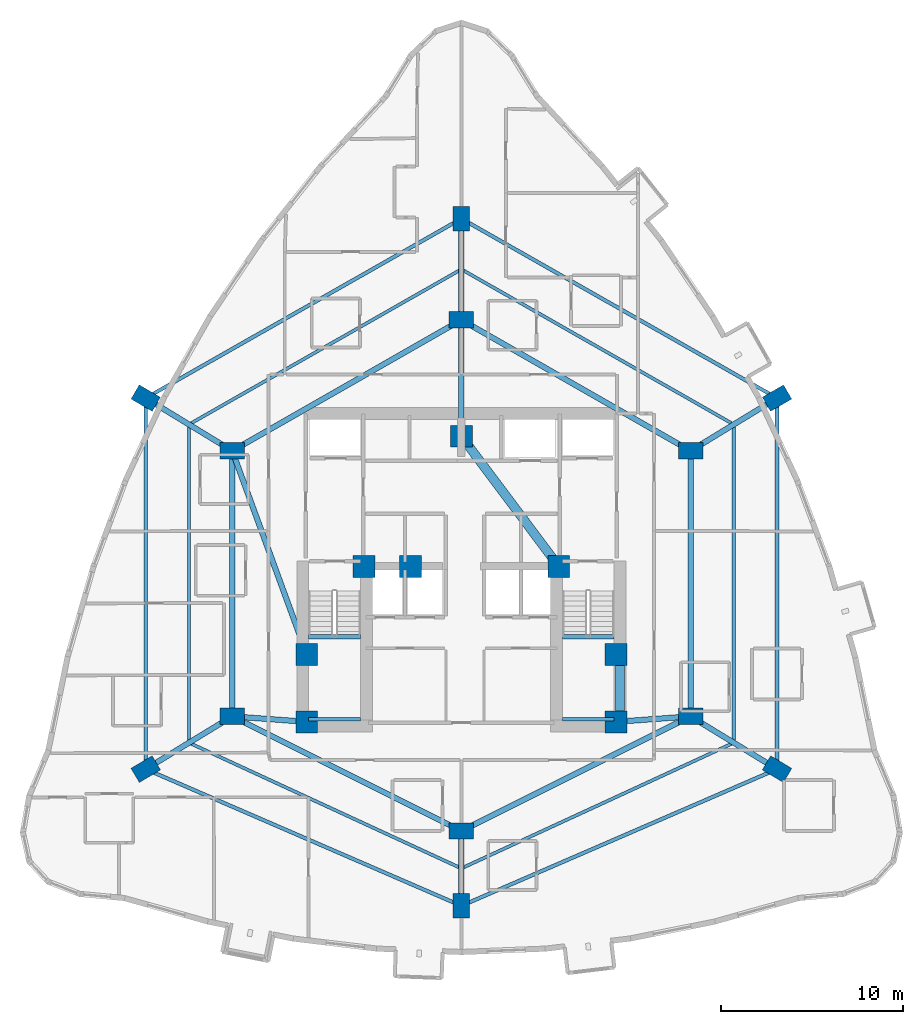
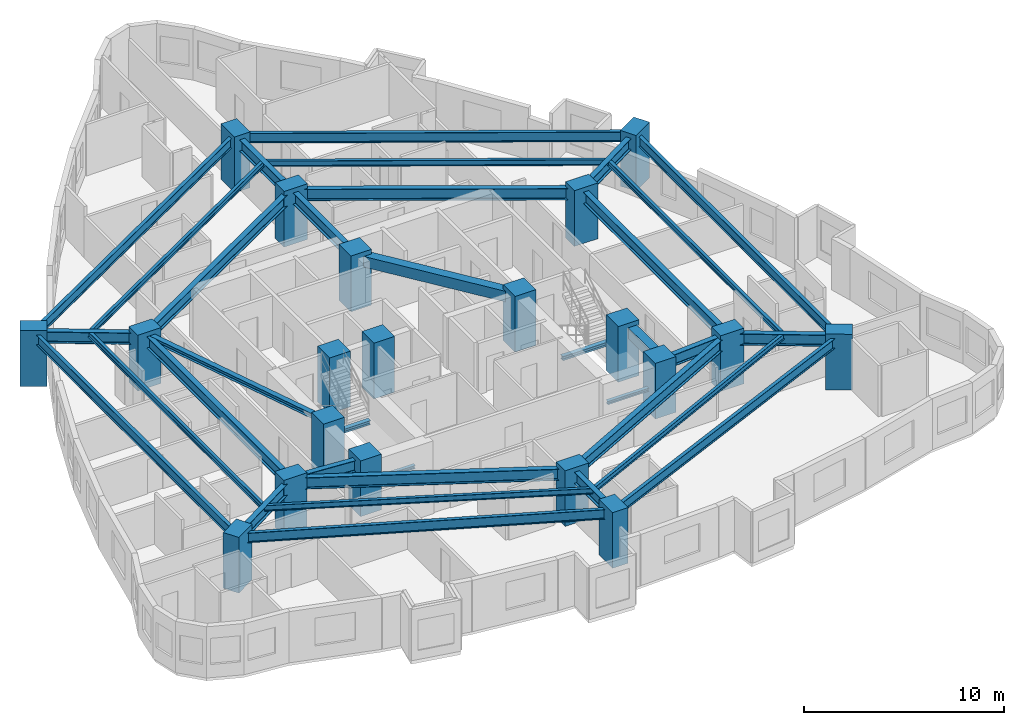
# One storey, part 1 of 14: 34 beams, 20 columns.
"""IFC4 building model written with IfcOpenShell, lengths in metres."""

import ifcopenshell
import ifcopenshell.guid

model = None  # the IFC model being written
_history = None  # IfcOwnerHistory: only IFC2X3 demands one
_inside = {}  # id of a spatial element -> (the spatial element, [elements in it])
_under = {}  # id of a project, library or spatial element -> (it, [spatial elements below it])
_declared = {}  # id of a project -> (the project, [libraries it declares])
_typed = {}  # id of a type object -> (the type object, [elements of that type])
_made_of = {}  # id of a material, layer set ... -> (it, [elements and type objects made of it])


def new_model(schema):
    """Start an empty IFC model of exactly this schema.

    Asked for "IFC4X3", IfcOpenShell would pick the latest addendum, in which some entities
    have other attributes; the version numbers below select the first issue.
    IFC2X3 requires an IfcOwnerHistory on every rooted entity: one is made here for all.
    """
    global model, _history
    if schema == "IFC4X3":
        model = ifcopenshell.file(schema_version=(4, 3, 0, 0))
    else:
        model = ifcopenshell.file(schema=schema)
    _inside.clear()
    _under.clear()
    _declared.clear()
    _typed.clear()
    _made_of.clear()
    _history = None
    if model.schema == "IFC2X3":
        org = make("IfcOrganization", Name="unknown")
        user = make(
            "IfcPersonAndOrganization",
            ThePerson=make("IfcPerson", FamilyName="unknown"),
            TheOrganization=org,
        )
        app = make(
            "IfcApplication",
            ApplicationDeveloper=org,
            Version="unknown",
            ApplicationFullName="unknown",
            ApplicationIdentifier="unknown",
        )
        _history = make(
            "IfcOwnerHistory",
            OwningUser=user,
            OwningApplication=app,
            ChangeAction="ADDED",
            CreationDate=0,
        )
    return model


def make(cls, **values):
    """One entity of the class cls with the attributes given. An attribute that is None is left unset."""
    return model.create_entity(
        cls, **{name: value for name, value in values.items() if value is not None}
    )


def rooted(cls, **values):
    """An entity with a GlobalId (a new one), such as an element, a storey or a relation."""
    return make(cls, GlobalId=ifcopenshell.guid.new(), OwnerHistory=_history, **values)


def si_unit(unit_type, name, prefix=None):
    """IfcSIUnit, for example si_unit("LENGTHUNIT", "METRE", prefix="MILLI")."""
    return make("IfcSIUnit", UnitType=unit_type, Prefix=prefix, Name=name)


def assignment(units):
    """IfcUnitAssignment: the units of a project."""
    return None if units is None else make("IfcUnitAssignment", Units=units)


def point(xyz):
    """IfcCartesianPoint."""
    return None if xyz is None else make("IfcCartesianPoint", Coordinates=xyz)


def direction(xyz):
    """IfcDirection."""
    return None if xyz is None else make("IfcDirection", DirectionRatios=xyz)


def frame(location, z_axis=None, x_axis=None):
    """IfcAxis2Placement3D, a coordinate frame: its origin and axes. An axis left out is left unset."""
    return make(
        "IfcAxis2Placement3D",
        Location=point(location),
        Axis=direction(z_axis),
        RefDirection=direction(x_axis),
    )


def frame_2d(location, x_axis=None):
    """IfcAxis2Placement2D, a coordinate frame in the plane: its origin and x axis."""
    return make(
        "IfcAxis2Placement2D", Location=point(location), RefDirection=direction(x_axis)
    )


def origin():
    """The frame at (0, 0, 0) with its axes left unset."""
    return frame((0.0, 0.0, 0.0))


def origin_2d():
    """The frame at (0, 0) in the plane with its x axis left unset."""
    return frame_2d((0.0, 0.0))


def place(relative_to, where):
    """IfcLocalPlacement: puts the frame where relative to a parent placement (None: the world)."""
    return make(
        "IfcLocalPlacement", PlacementRelTo=relative_to, RelativePlacement=where
    )


def context(
    kind, dimensions, precision=None, world=None, true_north=None, identifier=None
):
    """IfcGeometricRepresentationContext, for example the 3D "Model" context."""
    return make(
        "IfcGeometricRepresentationContext",
        ContextIdentifier=identifier,
        ContextType=kind,
        CoordinateSpaceDimension=dimensions,
        Precision=precision,
        WorldCoordinateSystem=world,
        TrueNorth=true_north,
    )


def subcontext(parent, identifier, kind, view, scale=None):
    """IfcGeometricRepresentationSubContext, for example "Body" below "Model"."""
    return make(
        "IfcGeometricRepresentationSubContext",
        ContextIdentifier=identifier,
        ContextType=kind,
        ParentContext=parent,
        TargetScale=scale,
        TargetView=view,
    )


def project(units=None, contexts=None):
    """IfcProject with its units and contexts."""
    return rooted(
        "IfcProject",
        Name="project",
        RepresentationContexts=contexts,
        UnitsInContext=assignment(units),
    )


def spatial(cls, under=None, at=None, **own):
    """A site, building, storey or space (cls), placed at a placement, below another one or the project."""
    s = rooted(cls, ObjectPlacement=at, **own)
    if under is not None:
        _under.setdefault(under.id(), (under, []))[1].append(s)
    return s


def profile(cls, at=None, kind="AREA", **sizes):
    """A parametric profile (cls). Its sizes go by their IFC names, for example OverallWidth=200.0."""
    return make(cls, ProfileType=kind, Position=at, **sizes)


def rectangle(**sizes):
    """IfcRectangleProfileDef."""
    return profile("IfcRectangleProfileDef", **sizes)


def i_section(**sizes):
    """IfcIShapeProfileDef."""
    return profile("IfcIShapeProfileDef", **sizes)


def extrude(swept, where, along, depth):
    """IfcExtrudedAreaSolid: the profile swept, set in the frame where, extruded along a direction by depth."""
    return make(
        "IfcExtrudedAreaSolid",
        SweptArea=swept,
        Position=where,
        ExtrudedDirection=direction(along),
        Depth=depth,
    )


def shape(context_of_items, identifier, shape_type, items):
    """IfcShapeRepresentation: the items that make up one representation, for example the "Body"."""
    return make(
        "IfcShapeRepresentation",
        ContextOfItems=context_of_items,
        RepresentationIdentifier=identifier,
        RepresentationType=shape_type,
        Items=items,
    )


def material(Name=None, Category=None):
    """IfcMaterial."""
    return make("IfcMaterial", Name=Name, Category=Category)


def material_profile(
    of_material, cross_section, Name=None, Category=None, Priority=None
):
    """IfcMaterialProfile: a cross section and its material."""
    return make(
        "IfcMaterialProfile",
        Name=Name,
        Material=of_material,
        Profile=cross_section,
        Priority=Priority,
        Category=Category,
    )


def profile_set(profiles, Name=None, composite=None):
    """IfcMaterialProfileSet."""
    return make(
        "IfcMaterialProfileSet",
        Name=Name,
        MaterialProfiles=profiles,
        CompositeProfile=composite,
    )


def made_of(thing, what):
    """Note that an element or type object is made of a material, layer set ...; save() writes the relation."""
    if what is not None:
        _made_of.setdefault(what.id(), (what, []))[1].append(thing)
    return thing


def type_object(cls, material=None, **own):
    """A type object (cls), such as IfcWallType, which elements share."""
    return made_of(rooted(cls, **own), material)


def element(
    cls,
    number,
    at=None,
    inside=None,
    cuts=None,
    type_object=None,
    material=None,
    context=None,
    identifier="Body",
    shape_type=None,
    held_by="IfcProductDefinitionShape",
    body=None,
    shapes=None,
    **own,
):
    """One element of the class cls, such as IfcWall. Its Tag is "e" and its number.

    at: its placement. inside: the storey or other place that contains it. cuts: it is an
    opening in that element (IfcRelVoidsElement). A single representation is given by context,
    identifier, shape_type and body (its items); several are given by shapes. held_by: the class
    of the entity that holds the representations. save() writes the other relations.
    """
    e = rooted(cls, Tag="e%d" % number, ObjectPlacement=at, **own)
    if body is not None:
        shapes = [shape(context, identifier, shape_type, body)]
    if shapes is not None:
        e.Representation = make(held_by, Representations=shapes)
    if inside is not None:
        _inside.setdefault(inside.id(), (inside, []))[1].append(e)
    if cuts is not None:
        rooted(
            "IfcRelVoidsElement", RelatingBuildingElement=cuts, RelatedOpeningElement=e
        )
    if type_object is not None:
        _typed.setdefault(type_object.id(), (type_object, []))[1].append(e)
    return made_of(e, material)


def aggregate(whole, parts):
    """IfcRelAggregates: a whole, such as a stair, and the parts it consists of."""
    return rooted("IfcRelAggregates", RelatingObject=whole, RelatedObjects=parts)


def save(model, path):
    """Write the relations noted so far, then the file.

    IfcRelAggregates (storeys below a building ...), IfcRelContainedInSpatialStructure (elements
    in a storey), IfcRelDefinesByType, IfcRelAssociatesMaterial and IfcRelDeclares: one each for
    every whole, place, type object, material and project.
    """
    for whole, parts in _under.values():
        aggregate(whole, parts)
    for where, things in _inside.values():
        rooted(
            "IfcRelContainedInSpatialStructure",
            RelatedElements=things,
            RelatingStructure=where,
        )
    for kind, things in _typed.values():
        rooted("IfcRelDefinesByType", RelatedObjects=things, RelatingType=kind)
    for what, things in _made_of.values():
        rooted("IfcRelAssociatesMaterial", RelatedObjects=things, RelatingMaterial=what)
    for by, libraries in _declared.values():
        rooted("IfcRelDeclares", RelatingContext=by, RelatedDefinitions=libraries)
    model.write(path)


model = new_model("IFC4")

# Units and contexts
model_context = context("Model", 3, precision=1e-05, world=origin(), true_north=direction((0.0, 1.0)))
body_context = subcontext(model_context, "Body", "Model", "MODEL_VIEW")
ifc_project = project(units=[si_unit("LENGTHUNIT", "METRE"), si_unit("AREAUNIT", "SQUARE_METRE"), si_unit("VOLUMEUNIT", "CUBIC_METRE"), si_unit("PLANEANGLEUNIT", "RADIAN"), si_unit("MASSUNIT", "GRAM", prefix="KILO")], contexts=[model_context])

# Site, building, storey
site_placement = place(None, origin())
site = spatial("IfcSite", under=ifc_project, at=site_placement, CompositionType="ELEMENT")
building_placement = place(site_placement, origin())
building = spatial("IfcBuilding", under=site, at=building_placement, Name="Miruveldt Soraemaru", CompositionType="ELEMENT")
storey_placement = place(building_placement, frame((0.0, 0.0, 80.199951171875)))
storey = spatial("IfcBuildingStorey", under=building, at=storey_placement, Name="L22", CompositionType="ELEMENT", Elevation=80.199951171875)

# Columns
ifc_material_1 = material(Name="Concrete C70/85 (70 MPa)", Category="concrete")
ifc_material_profile_1 = material_profile(ifc_material_1, rectangle(XDim=1.199951171875, YDim=1.199951171875, at=origin_2d()), Name="Concrete C70/85 (70 MPa)", Category="concrete")
ifc_profile_set_1 = profile_set([ifc_material_profile_1], Name="Concrete C70/85 (70 MPa)")
column_type_1 = type_object("IfcColumnType", Name="COL-CORE-1200", PredefinedType="COLUMN", material=ifc_profile_set_1)
for number, where, z_axis, x_axis, name in (
    (1, (35.5, 35.5, 0.0), (0.0, 0.0, 1.0), (1.0, 0.0, 0.0), "L22 Structural Column CC1"),
    (2, (38.64990234375, 44.050048828125, 0.0), (0.0, 0.0, 1.0), (1.0, 0.0, 0.0), "L22 Structural Column CC2"),
    (3, (52.5, 35.5, 0.0), (0.0, 0.0, 1.0), (1.0, 0.0, 0.0), "L22 Structural Column CC3"),
    (4, (52.5, 39.199951171875, 0.0), (0.0, 0.0, 1.0), (1.0, 0.0, 0.0), "L22 Structural Column CC4"),
    (5, (49.35009765625, 44.050048828125, 0.0), (0.0, 0.0, 1.0), (1.0, 0.0, 0.0), "L22 Structural Column CC5"),
    (6, (44.0, 51.199951171875, 0.0), (0.0, 0.0, 1.0), (1.0, 0.0, 0.0), "L22 Structural Column CC6"),
    (7, (35.5, 39.199951171875, 0.0), (0.0, 0.0, 1.0), (1.0, 0.0, 0.0), "L22 Structural Column CC7"),
    (8, (41.199951171875, 44.050048828125, 0.0), (0.0, 0.0, 1.0), (1.0, 0.0, 0.0), "L22 Structural Column CC8"),
):
    element("IfcColumn", number, at=place(storey_placement, frame(where, z_axis=z_axis, x_axis=x_axis)), inside=storey, type_object=column_type_1, Name=name, PredefinedType="COLUMN", context=body_context, shape_type="SweptSolid", body=[
        extrude(rectangle(XDim=1.199951171875, YDim=1.199951171875, at=origin_2d()), origin(), (0.0, 0.0, 1.0), 3.400146484375),
    ])
ifc_material_profile_2 = material_profile(ifc_material_1, rectangle(XDim=1.35009765625, YDim=0.89990234375, at=origin_2d()), Name="Concrete C70/85 (70 MPa)", Category="concrete")
ifc_profile_set_2 = profile_set([ifc_material_profile_2], Name="Concrete C70/85 (70 MPa)")
column_type_2 = type_object("IfcColumnType", Name="COL-TW-Z1B", PredefinedType="COLUMN", material=ifc_profile_set_2)
for number, where, z_axis, x_axis, name in (
    (9, (44.0, 57.60009765625, 0.0), (0.0, 0.0, 1.0), (1.0, 0.0, 0.0), "L22 Structural Column IR01"),
    (10, (56.60009765625, 50.39990234375, 0.0), (0.0, 0.0, 1.0), (1.0, 0.0, 0.0), "L22 Structural Column IR02"),
    (11, (56.60009765625, 35.800048828125, 0.0), (0.0, 0.0, 1.0), (1.0, 0.0, 0.0), "L22 Structural Column IR03"),
    (12, (44.0, 29.5, 0.0), (0.0, 0.0, 1.0), (1.0, 0.0, 0.0), "L22 Structural Column IR04"),
    (13, (31.39990234375, 35.800048828125, 0.0), (0.0, 0.0, 1.0), (1.0, 0.0, 0.0), "L22 Structural Column IR05"),
    (14, (31.39990234375, 50.39990234375, 0.0), (0.0, 0.0, 1.0), (1.0, 0.0, 0.0), "L22 Structural Column IR06"),
    (15, (44.0, 63.16796875, 0.0), (0.0, 0.0, 1.0), (0.0, 1.0, 0.0), "L22 Structural Column Z1P01"),
    (16, (61.35595703125, 53.300048828125, 0.0), (0.0, 0.0, 1.0), (0.864274801954, 0.50301994663, 0.0), "L22 Structural Column Z1P02"),
    (17, (61.35595703125, 32.89990234375, 0.0), (0.0, 0.0, 1.0), (-0.859852271597, 0.510542917912, 0.0), "L22 Structural Column Z1P03"),
    (18, (44.0, 25.382080078125, 0.0), (0.0, 0.0, 1.0), (0.0, 1.0, 0.0), "L22 Structural Column Z1P04"),
    (19, (26.64404296875, 32.89990234375, 0.0), (0.0, 0.0, 1.0), (0.859852271597, 0.510542917912, 0.0), "L22 Structural Column Z1P05"),
    (20, (26.64404296875, 53.300048828125, 0.0), (0.0, 0.0, 1.0), (-0.864274801954, 0.50301994663, 0.0), "L22 Structural Column Z1P06"),
):
    element("IfcColumn", number, at=place(storey_placement, frame(where, z_axis=z_axis, x_axis=x_axis)), inside=storey, type_object=column_type_2, Name=name, PredefinedType="COLUMN", context=body_context, shape_type="SweptSolid", body=[
        extrude(rectangle(XDim=1.35009765625, YDim=0.89990234375, at=origin_2d()), origin(), (0.0, 0.0, 1.0), 3.400146484375),
    ])

# Beams
ifc_material_2 = material(Name="Steel SM355 (355 MPa)", Category="steel")
ifc_material_profile_3 = material_profile(ifc_material_2, i_section(OverallWidth=0.300048828125, OverallDepth=0.300048828125, WebThickness=0.010009765625, FlangeThickness=0.014892578125, FilletRadius=0.01806640625, at=origin_2d()), Name="Steel SM355 (355 MPa)", Category="steel")
ifc_profile_set_3 = profile_set([ifc_material_profile_3], Name="Steel SM355 (355 MPa)")
beam_type_1 = type_object("IfcBeamType", Name="BM-LNT-H300", PredefinedType="LINTEL", material=ifc_profile_set_3)
beam_1_placement = place(storey_placement, frame((31.39990234375, 50.39990234375, 2.97509765625), z_axis=(0.343770424598, -0.939053723262, 0.0), x_axis=(0.939053723262, 0.343770424598, 0.0)))
element("IfcBeam", 21, at=beam_1_placement, inside=storey, type_object=beam_type_1, Name="L22 West Lobby Lintel", PredefinedType="LINTEL", context=body_context, shape_type="SweptSolid", body=[
    extrude(i_section(OverallWidth=0.300048828125, OverallDepth=0.300048828125, WebThickness=0.010009765625, FlangeThickness=0.014892578125, FilletRadius=0.01806640625, at=origin_2d()), origin(), (0.0, 0.0, 1.0), 11.9267578125),
])
ifc_material_3 = material(Name="Concrete C50/60 (50 MPa)", Category="concrete")
ifc_material_profile_4 = material_profile(ifc_material_3, rectangle(XDim=0.5, YDim=0.64990234375, at=origin_2d()), Name="Concrete C50/60 (50 MPa)", Category="concrete")
ifc_profile_set_4 = profile_set([ifc_material_profile_4], Name="Concrete C50/60 (50 MPa)")
beam_type_2 = type_object("IfcBeamType", Name="BM-RC-500x650", PredefinedType="BEAM", material=ifc_profile_set_4)
beam_2_placement = place(storey_placement, frame((52.72998046875, 35.5, 2.800048828125), z_axis=(0.0, 1.0, 0.0), x_axis=(-1.0, 0.0, 0.0)))
element("IfcBeam", 22, at=beam_2_placement, inside=storey, type_object=beam_type_2, Name="L22 Core Tie Beam 3", PredefinedType="BEAM", context=body_context, shape_type="SweptSolid", body=[
    extrude(rectangle(XDim=0.5, YDim=0.64990234375, at=origin_2d()), origin(), (0.0, 0.0, 1.0), 3.699951171875),
])
beam_3_placement = place(storey_placement, frame((49.35009765625, 44.050048828125, 2.800048828125), z_axis=(-0.599116023999, 0.800662219533, 0.0), x_axis=(-0.800662219533, -0.599116023999, 0.0)))
element("IfcBeam", 23, at=beam_3_placement, inside=storey, type_object=beam_type_2, Name="L22 Core Tie Beam 5", PredefinedType="BEAM", context=body_context, shape_type="SweptSolid", body=[
    extrude(rectangle(XDim=0.5, YDim=0.64990234375, at=origin_2d()), origin(), (0.0, 0.0, 1.0), 8.929931640625),
])
ifc_material_profile_5 = material_profile(ifc_material_2, i_section(OverallWidth=0.175048828125, OverallDepth=0.35009765625, WebThickness=0.007080078125, FlangeThickness=0.010986328125, FilletRadius=0.013916015625, at=origin_2d()), Name="Steel SM355 (355 MPa)", Category="steel")
ifc_profile_set_5 = profile_set([ifc_material_profile_5], Name="Steel SM355 (355 MPa)")
beam_type_3 = type_object("IfcBeamType", Name="BM-ST-H350", PredefinedType="JOIST", material=ifc_profile_set_5)
beam_4_placement = place(storey_placement, frame((44.0, 60.384033203125, 2.949951171875), z_axis=(0.868865604585, -0.495048039254, 0.0), x_axis=(0.495048039254, 0.868865604585, 0.0)))
element("IfcBeam", 24, at=beam_4_placement, inside=storey, type_object=beam_type_3, Name="L22 Outer Bay Floor Joist 1", PredefinedType="JOIST", context=body_context, shape_type="SweptSolid", body=[
    extrude(i_section(OverallWidth=0.175048828125, OverallDepth=0.35009765625, WebThickness=0.007080078125, FlangeThickness=0.010986328125, FilletRadius=0.013916015625, at=origin_2d()), origin(), (0.0, 0.0, 1.0), 17.238525390625),
])
beam_5_placement = place(storey_placement, frame((58.97802734375, 51.85009765625, 2.949951171875), z_axis=(0.0, -1.0, 0.0), x_axis=(1.0, 0.0, 0.0)))
element("IfcBeam", 25, at=beam_5_placement, inside=storey, type_object=beam_type_3, Name="L22 Outer Bay Floor Joist 2", PredefinedType="JOIST", context=body_context, shape_type="SweptSolid", body=[
    extrude(i_section(OverallWidth=0.175048828125, OverallDepth=0.35009765625, WebThickness=0.007080078125, FlangeThickness=0.010986328125, FilletRadius=0.013916015625, at=origin_2d()), origin(), (0.0, 0.0, 1.0), 17.5),
])
for number, where, z_axis, x_axis, name in (
    (26, (58.97802734375, 34.35009765625, 2.949951171875), (-0.908046005539, -0.418870447543, 0.0), (0.418870447543, -0.908046005539, 0.0), "L22 Outer Bay Floor Joist 3"),
    (27, (44.0, 27.44091796875, 2.949951171875), (-0.908046005539, 0.418870447543, 0.0), (-0.418870447543, -0.908046005539, 0.0), "L22 Outer Bay Floor Joist 4"),
):
    element("IfcBeam", number, at=place(storey_placement, frame(where, z_axis=z_axis, x_axis=x_axis)), inside=storey, type_object=beam_type_3, Name=name, PredefinedType="JOIST", context=body_context, shape_type="SweptSolid", body=[
        extrude(i_section(OverallWidth=0.175048828125, OverallDepth=0.35009765625, WebThickness=0.007080078125, FlangeThickness=0.010986328125, FilletRadius=0.013916015625, at=origin_2d()), origin(), (0.0, 0.0, 1.0), 16.494873046875),
    ])
beam_6_placement = place(storey_placement, frame((29.02197265625, 34.35009765625, 2.949951171875), z_axis=(0.0, 1.0, 0.0), x_axis=(-1.0, 0.0, 0.0)))
element("IfcBeam", 28, at=beam_6_placement, inside=storey, type_object=beam_type_3, Name="L22 Outer Bay Floor Joist 5", PredefinedType="JOIST", context=body_context, shape_type="SweptSolid", body=[
    extrude(i_section(OverallWidth=0.175048828125, OverallDepth=0.35009765625, WebThickness=0.007080078125, FlangeThickness=0.010986328125, FilletRadius=0.013916015625, at=origin_2d()), origin(), (0.0, 0.0, 1.0), 17.5),
])
beam_7_placement = place(storey_placement, frame((29.02197265625, 51.85009765625, 2.949951171875), z_axis=(0.868865604585, 0.495048039254, 0.0), x_axis=(-0.495048039254, 0.868865604585, 0.0)))
element("IfcBeam", 29, at=beam_7_placement, inside=storey, type_object=beam_type_3, Name="L22 Outer Bay Floor Joist 6", PredefinedType="JOIST", context=body_context, shape_type="SweptSolid", body=[
    extrude(i_section(OverallWidth=0.175048828125, OverallDepth=0.35009765625, WebThickness=0.007080078125, FlangeThickness=0.010986328125, FilletRadius=0.013916015625, at=origin_2d()), origin(), (0.0, 0.0, 1.0), 17.238525390625),
])
ifc_material_profile_6 = material_profile(ifc_material_2, i_section(OverallWidth=0.199951171875, OverallDepth=0.60009765625, WebThickness=0.010986328125, FlangeThickness=0.01708984375, FilletRadius=0.02197265625, at=origin_2d()), Name="Steel SM355 (355 MPa)", Category="steel")
ifc_profile_set_6 = profile_set([ifc_material_profile_6], Name="Steel SM355 (355 MPa)")
beam_type_4 = type_object("IfcBeamType", Name="BM-ST-H600", PredefinedType="SPANDREL", material=ifc_profile_set_6)
beam_8_placement = place(storey_placement, frame((44.0, 63.16796875, 2.824951171875), z_axis=(0.869314947608, -0.494258557706, 0.0), x_axis=(0.494258557706, 0.869314947608, 0.0)))
element("IfcBeam", 30, at=beam_8_placement, inside=storey, type_object=beam_type_4, Name="L22 Zone-1 Spandrel Beam 1", PredefinedType="SPANDREL", context=body_context, shape_type="SweptSolid", body=[
    extrude(i_section(OverallWidth=0.199951171875, OverallDepth=0.60009765625, WebThickness=0.010986328125, FlangeThickness=0.01708984375, FilletRadius=0.02197265625, at=origin_2d()), origin(), (0.0, 0.0, 1.0), 19.965087890625),
])
beam_9_placement = place(storey_placement, frame((61.35595703125, 53.300048828125, 2.824951171875), z_axis=(0.0, -1.0, 0.0), x_axis=(1.0, 0.0, 0.0)))
element("IfcBeam", 31, at=beam_9_placement, inside=storey, type_object=beam_type_4, Name="L22 Zone-1 Spandrel Beam 2", PredefinedType="SPANDREL", context=body_context, shape_type="SweptSolid", body=[
    extrude(i_section(OverallWidth=0.199951171875, OverallDepth=0.60009765625, WebThickness=0.010986328125, FlangeThickness=0.01708984375, FilletRadius=0.02197265625, at=origin_2d()), origin(), (0.0, 0.0, 1.0), 20.400146484375),
])
for number, where, z_axis, x_axis, name in (
    (32, (61.35595703125, 32.89990234375, 2.824951171875), (-0.917615263736, -0.397469782195, 0.0), (0.397469782195, -0.917615263736, 0.0), "L22 Zone-1 Spandrel Beam 3"),
    (33, (44.0, 25.382080078125, 2.824951171875), (-0.917615263736, 0.397469782195, 0.0), (-0.397469782195, -0.917615263736, 0.0), "L22 Zone-1 Spandrel Beam 4"),
):
    element("IfcBeam", number, at=place(storey_placement, frame(where, z_axis=z_axis, x_axis=x_axis)), inside=storey, type_object=beam_type_4, Name=name, PredefinedType="SPANDREL", context=body_context, shape_type="SweptSolid", body=[
        extrude(i_section(OverallWidth=0.199951171875, OverallDepth=0.60009765625, WebThickness=0.010986328125, FlangeThickness=0.01708984375, FilletRadius=0.02197265625, at=origin_2d()), origin(), (0.0, 0.0, 1.0), 18.914306640625),
    ])
beam_10_placement = place(storey_placement, frame((26.64404296875, 32.89990234375, 2.824951171875), z_axis=(0.0, 1.0, 0.0), x_axis=(-1.0, 0.0, 0.0)))
element("IfcBeam", 34, at=beam_10_placement, inside=storey, type_object=beam_type_4, Name="L22 Zone-1 Spandrel Beam 5", PredefinedType="SPANDREL", context=body_context, shape_type="SweptSolid", body=[
    extrude(i_section(OverallWidth=0.199951171875, OverallDepth=0.60009765625, WebThickness=0.010986328125, FlangeThickness=0.01708984375, FilletRadius=0.02197265625, at=origin_2d()), origin(), (0.0, 0.0, 1.0), 20.400146484375),
])
beam_11_placement = place(storey_placement, frame((26.64404296875, 53.300048828125, 2.824951171875), z_axis=(0.869314947608, 0.494258557706, 0.0), x_axis=(-0.494258557706, 0.869314947608, 0.0)))
element("IfcBeam", 35, at=beam_11_placement, inside=storey, type_object=beam_type_4, Name="L22 Zone-1 Spandrel Beam 6", PredefinedType="SPANDREL", context=body_context, shape_type="SweptSolid", body=[
    extrude(i_section(OverallWidth=0.199951171875, OverallDepth=0.60009765625, WebThickness=0.010986328125, FlangeThickness=0.01708984375, FilletRadius=0.02197265625, at=origin_2d()), origin(), (0.0, 0.0, 1.0), 19.965087890625),
])
ifc_material_profile_7 = material_profile(ifc_material_2, i_section(OverallWidth=0.300048828125, OverallDepth=0.699951171875, WebThickness=0.012939453125, FlangeThickness=0.02392578125, FilletRadius=0.028076171875, at=origin_2d()), Name="Steel SM355 (355 MPa)", Category="steel")
ifc_profile_set_7 = profile_set([ifc_material_profile_7], Name="Steel SM355 (355 MPa)")
beam_type_5 = type_object("IfcBeamType", Name="BM-ST-H700", PredefinedType="BEAM", material=ifc_profile_set_7)
beam_12_placement = place(storey_placement, frame((44.0, 57.60009765625, 2.775146484375), z_axis=(0.868239001029, -0.496146185203, 0.0), x_axis=(0.496146185203, 0.868239001029, 0.0)))
element("IfcBeam", 36, at=beam_12_placement, inside=storey, type_object=beam_type_5, Name="L22 Inner Ring Girder 1", PredefinedType="BEAM", context=body_context, shape_type="SweptSolid", body=[
    extrude(i_section(OverallWidth=0.300048828125, OverallDepth=0.699951171875, WebThickness=0.012939453125, FlangeThickness=0.02392578125, FilletRadius=0.028076171875, at=origin_2d()), origin(), (0.0, 0.0, 1.0), 14.51220703125),
])
beam_13_placement = place(storey_placement, frame((44.0, 51.199951171875, 2.775146484375), z_axis=(0.0, 1.0, 0.0), x_axis=(-1.0, 0.0, 0.0)))
element("IfcBeam", 37, at=beam_13_placement, inside=storey, type_object=beam_type_5, Name="L22 Core-to-Inner Radial Girder 1", PredefinedType="BEAM", context=body_context, shape_type="SweptSolid", body=[
    extrude(i_section(OverallWidth=0.300048828125, OverallDepth=0.699951171875, WebThickness=0.012939453125, FlangeThickness=0.02392578125, FilletRadius=0.028076171875, at=origin_2d()), origin(), (0.0, 0.0, 1.0), 6.400146484375),
])
beam_14_placement = place(storey_placement, frame((56.60009765625, 50.39990234375, 2.775146484375), z_axis=(0.0, -1.0, 0.0), x_axis=(1.0, 0.0, 0.0)))
element("IfcBeam", 38, at=beam_14_placement, inside=storey, type_object=beam_type_5, Name="L22 Inner Ring Girder 2", PredefinedType="BEAM", context=body_context, shape_type="SweptSolid", body=[
    extrude(i_section(OverallWidth=0.300048828125, OverallDepth=0.699951171875, WebThickness=0.012939453125, FlangeThickness=0.02392578125, FilletRadius=0.028076171875, at=origin_2d()), origin(), (0.0, 0.0, 1.0), 14.599853515625),
])
beam_15_placement = place(storey_placement, frame((56.60009765625, 35.800048828125, 2.775146484375), z_axis=(-0.894427191, -0.4472135955, 0.0), x_axis=(0.4472135955, -0.894427191, 0.0)))
element("IfcBeam", 39, at=beam_15_placement, inside=storey, type_object=beam_type_5, Name="L22 Inner Ring Girder 3", PredefinedType="BEAM", context=body_context, shape_type="SweptSolid", body=[
    extrude(i_section(OverallWidth=0.300048828125, OverallDepth=0.699951171875, WebThickness=0.012939453125, FlangeThickness=0.02392578125, FilletRadius=0.028076171875, at=origin_2d()), origin(), (0.0, 0.0, 1.0), 14.08740234375),
])
beam_16_placement = place(storey_placement, frame((52.5, 35.5, 2.775146484375), z_axis=(0.997332985605, 0.072985723431, 0.0), x_axis=(-0.072985723431, 0.997332985605, 0.0)))
element("IfcBeam", 40, at=beam_16_placement, inside=storey, type_object=beam_type_5, Name="L22 Core-to-Inner Radial Girder 3", PredefinedType="BEAM", context=body_context, shape_type="SweptSolid", body=[
    extrude(i_section(OverallWidth=0.300048828125, OverallDepth=0.699951171875, WebThickness=0.012939453125, FlangeThickness=0.02392578125, FilletRadius=0.028076171875, at=origin_2d()), origin(), (0.0, 0.0, 1.0), 4.111083984375),
])
beam_17_placement = place(storey_placement, frame((44.0, 29.5, 2.775146484375), z_axis=(-0.894427191, 0.4472135955, 0.0), x_axis=(-0.4472135955, -0.894427191, 0.0)))
element("IfcBeam", 41, at=beam_17_placement, inside=storey, type_object=beam_type_5, Name="L22 Inner Ring Girder 4", PredefinedType="BEAM", context=body_context, shape_type="SweptSolid", body=[
    extrude(i_section(OverallWidth=0.300048828125, OverallDepth=0.699951171875, WebThickness=0.012939453125, FlangeThickness=0.02392578125, FilletRadius=0.028076171875, at=origin_2d()), origin(), (0.0, 0.0, 1.0), 14.08740234375),
])
beam_18_placement = place(storey_placement, frame((31.39990234375, 35.800048828125, 2.775146484375), z_axis=(0.0, 1.0, 0.0), x_axis=(-1.0, 0.0, 0.0)))
element("IfcBeam", 42, at=beam_18_placement, inside=storey, type_object=beam_type_5, Name="L22 Inner Ring Girder 5", PredefinedType="BEAM", context=body_context, shape_type="SweptSolid", body=[
    extrude(i_section(OverallWidth=0.300048828125, OverallDepth=0.699951171875, WebThickness=0.012939453125, FlangeThickness=0.02392578125, FilletRadius=0.028076171875, at=origin_2d()), origin(), (0.0, 0.0, 1.0), 14.599853515625),
])
beam_19_placement = place(storey_placement, frame((35.5, 35.5, 2.775146484375), z_axis=(-0.997332985605, 0.072985723431, 0.0), x_axis=(-0.072985723431, -0.997332985605, 0.0)))
element("IfcBeam", 43, at=beam_19_placement, inside=storey, type_object=beam_type_5, Name="L22 Core-to-Inner Radial Girder 5", PredefinedType="BEAM", context=body_context, shape_type="SweptSolid", body=[
    extrude(i_section(OverallWidth=0.300048828125, OverallDepth=0.699951171875, WebThickness=0.012939453125, FlangeThickness=0.02392578125, FilletRadius=0.028076171875, at=origin_2d()), origin(), (0.0, 0.0, 1.0), 4.111083984375),
])
beam_20_placement = place(storey_placement, frame((31.39990234375, 50.39990234375, 2.775146484375), z_axis=(0.868239001029, 0.496146185203, 0.0), x_axis=(-0.496146185203, 0.868239001029, 0.0)))
element("IfcBeam", 44, at=beam_20_placement, inside=storey, type_object=beam_type_5, Name="L22 Inner Ring Girder 6", PredefinedType="BEAM", context=body_context, shape_type="SweptSolid", body=[
    extrude(i_section(OverallWidth=0.300048828125, OverallDepth=0.699951171875, WebThickness=0.012939453125, FlangeThickness=0.02392578125, FilletRadius=0.028076171875, at=origin_2d()), origin(), (0.0, 0.0, 1.0), 14.51220703125),
])
beam_21_placement = place(storey_placement, frame((44.0, 57.60009765625, 2.775146484375), z_axis=(0.0, 1.0, 0.0), x_axis=(-1.0, 0.0, 0.0)))
element("IfcBeam", 45, at=beam_21_placement, inside=storey, type_object=beam_type_5, Name="L22 Zone-1 Radial Girder 1", PredefinedType="BEAM", context=body_context, shape_type="SweptSolid", body=[
    extrude(i_section(OverallWidth=0.300048828125, OverallDepth=0.699951171875, WebThickness=0.012939453125, FlangeThickness=0.02392578125, FilletRadius=0.028076171875, at=origin_2d()), origin(), (0.0, 0.0, 1.0), 5.56787109375),
])
for number, where, z_axis, x_axis, name in (
    (46, (56.60009765625, 50.39990234375, 2.775146484375), (0.853777644156, 0.520637814935, 0.0), (-0.520637814935, 0.853777644156, 0.0), "L22 Zone-1 Radial Girder 2"),
    (47, (56.60009765625, 35.800048828125, 2.775146484375), (0.853777644156, -0.520637814935, 0.0), (0.520637814935, 0.853777644156, 0.0), "L22 Zone-1 Radial Girder 3"),
):
    element("IfcBeam", number, at=place(storey_placement, frame(where, z_axis=z_axis, x_axis=x_axis)), inside=storey, type_object=beam_type_5, Name=name, PredefinedType="BEAM", context=body_context, shape_type="SweptSolid", body=[
        extrude(i_section(OverallWidth=0.300048828125, OverallDepth=0.699951171875, WebThickness=0.012939453125, FlangeThickness=0.02392578125, FilletRadius=0.028076171875, at=origin_2d()), origin(), (0.0, 0.0, 1.0), 5.5703125),
    ])
beam_22_placement = place(storey_placement, frame((44.0, 29.5, 2.775146484375), z_axis=(0.0, -1.0, 0.0), x_axis=(1.0, 0.0, 0.0)))
element("IfcBeam", 48, at=beam_22_placement, inside=storey, type_object=beam_type_5, Name="L22 Zone-1 Radial Girder 4", PredefinedType="BEAM", context=body_context, shape_type="SweptSolid", body=[
    extrude(i_section(OverallWidth=0.300048828125, OverallDepth=0.699951171875, WebThickness=0.012939453125, FlangeThickness=0.02392578125, FilletRadius=0.028076171875, at=origin_2d()), origin(), (0.0, 0.0, 1.0), 4.117919921875),
])
for number, where, z_axis, x_axis, name in (
    (49, (31.39990234375, 35.800048828125, 2.775146484375), (-0.853777644156, -0.520637814935, 0.0), (0.520637814935, -0.853777644156, 0.0), "L22 Zone-1 Radial Girder 5"),
    (50, (31.39990234375, 50.39990234375, 2.775146484375), (-0.853777644156, 0.520637814935, 0.0), (-0.520637814935, -0.853777644156, 0.0), "L22 Zone-1 Radial Girder 6"),
):
    element("IfcBeam", number, at=place(storey_placement, frame(where, z_axis=z_axis, x_axis=x_axis)), inside=storey, type_object=beam_type_5, Name=name, PredefinedType="BEAM", context=body_context, shape_type="SweptSolid", body=[
        extrude(i_section(OverallWidth=0.300048828125, OverallDepth=0.699951171875, WebThickness=0.012939453125, FlangeThickness=0.02392578125, FilletRadius=0.028076171875, at=origin_2d()), origin(), (0.0, 0.0, 1.0), 5.5703125),
    ])
ifc_material_profile_8 = material_profile(ifc_material_2, i_section(OverallWidth=0.199951171875, OverallDepth=0.199951171875, WebThickness=0.008056640625, FlangeThickness=0.011962890625, FilletRadius=0.012939453125, at=origin_2d()), Name="Steel SM355 (355 MPa)", Category="steel")
ifc_profile_set_8 = profile_set([ifc_material_profile_8], Name="Steel SM355 (355 MPa)")
beam_type_6 = type_object("IfcBeamType", Name="BM-ST-LND200", PredefinedType="BEAM", material=ifc_profile_set_8)
for number, where, z_axis, x_axis, name in (
    (51, (35.60009765625, 35.64990234375, 1.400146484375), (1.0, 0.0, 0.0), (0.0, 1.0, 0.0), "L22 ST1 Landing End Beam 1B"),
    (52, (49.550048828125, 35.64990234375, 1.400146484375), (1.0, 0.0, 0.0), (0.0, 1.0, 0.0), "L22 ST2 Landing End Beam 1B"),
):
    element("IfcBeam", number, at=place(storey_placement, frame(where, z_axis=z_axis, x_axis=x_axis)), inside=storey, type_object=beam_type_6, Name=name, PredefinedType="BEAM", context=body_context, shape_type="SweptSolid", body=[
        extrude(i_section(OverallWidth=0.199951171875, OverallDepth=0.199951171875, WebThickness=0.008056640625, FlangeThickness=0.011962890625, FilletRadius=0.012939453125, at=origin_2d()), origin(), (0.0, 0.0, 1.0), 2.849853515625),
    ])
ifc_material_profile_9 = material_profile(ifc_material_2, i_section(OverallWidth=0.25, OverallDepth=0.25, WebThickness=0.009033203125, FlangeThickness=0.013916015625, FilletRadius=0.01611328125, at=origin_2d()), Name="Steel SM355 (355 MPa)", Category="steel")
ifc_profile_set_9 = profile_set([ifc_material_profile_9], Name="Steel SM355 (355 MPa)")
beam_type_7 = type_object("IfcBeamType", Name="BM-ST-LND250", PredefinedType="BEAM", material=ifc_profile_set_9)
for number, where, z_axis, x_axis, name in (
    (53, (35.60009765625, 40.179931640625, 1.375), (1.0, 0.0, 0.0), (0.0, 1.0, 0.0), "L22 ST1 Landing Support Beam 1A"),
    (54, (49.550048828125, 40.179931640625, 1.375), (1.0, 0.0, 0.0), (0.0, 1.0, 0.0), "L22 ST2 Landing Support Beam 1A"),
):
    element("IfcBeam", number, at=place(storey_placement, frame(where, z_axis=z_axis, x_axis=x_axis)), inside=storey, type_object=beam_type_7, Name=name, PredefinedType="BEAM", context=body_context, shape_type="SweptSolid", body=[
        extrude(i_section(OverallWidth=0.25, OverallDepth=0.25, WebThickness=0.009033203125, FlangeThickness=0.013916015625, FilletRadius=0.01611328125, at=origin_2d()), origin(), (0.0, 0.0, 1.0), 2.849853515625),
    ])

save(model, "model.ifc")
